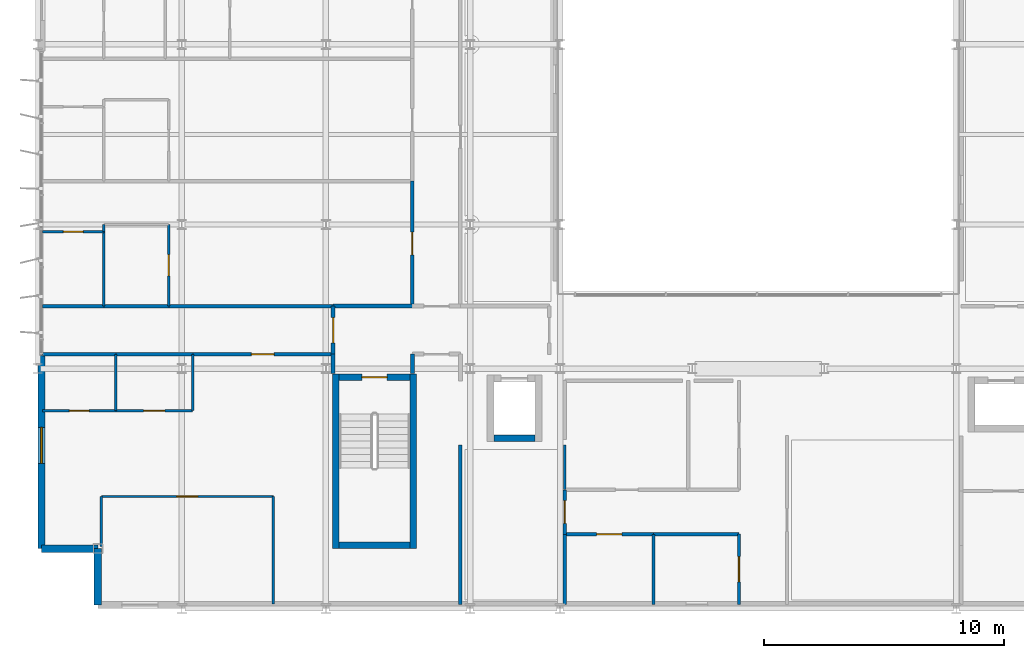
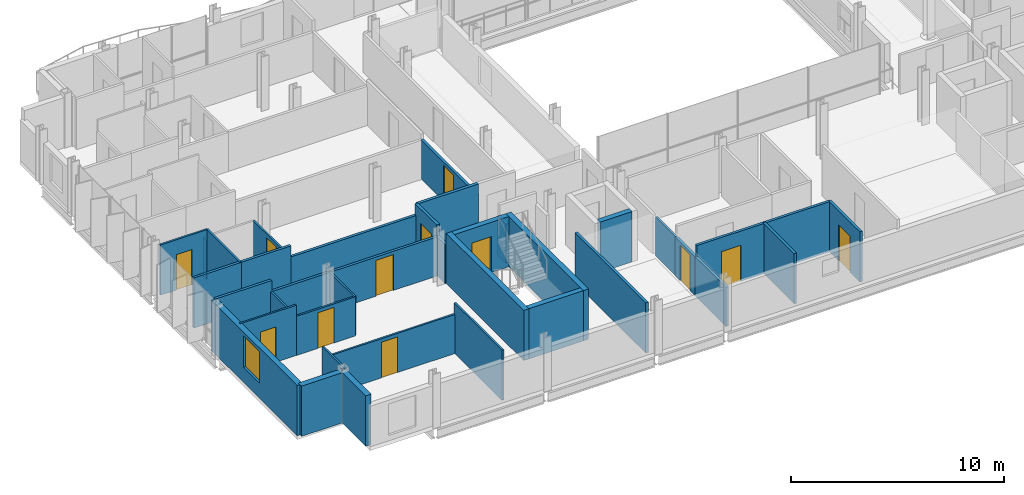
# One storey, part 29 of 40: 38 walls, 12 doors, 1 window, 13 openings.
"""IFC4 building model written with IfcOpenShell, lengths in metres."""

from ifc_helpers import new_model, si_unit, direction, frame, frame_2d, origin, place, context, subcontext, project, spatial, rectangle, extrude, material, layer, layer_set, type_object, element, fill, save


model = new_model("IFC4")

# Units and contexts
model_context = context("Model", 3, precision=1e-05, world=origin(), true_north=direction((0.0, 1.0)))
body_context = subcontext(model_context, "Body", "Model", "MODEL_VIEW")
ifc_project = project(units=[si_unit("LENGTHUNIT", "METRE"), si_unit("AREAUNIT", "SQUARE_METRE"), si_unit("VOLUMEUNIT", "CUBIC_METRE"), si_unit("PLANEANGLEUNIT", "RADIAN"), si_unit("MASSUNIT", "GRAM", prefix="KILO")], contexts=[model_context])

# Site, building, storey
site_placement = place(None, origin())
site = spatial("IfcSite", under=ifc_project, at=site_placement, CompositionType="ELEMENT")
building_placement = place(site_placement, origin())
building = spatial("IfcBuilding", under=site, at=building_placement, Name="Brevholm Reach", CompositionType="ELEMENT")
storey_placement = place(building_placement, frame((0.0, 0.0, 148.0)))
storey = spatial("IfcBuildingStorey", under=building, at=storey_placement, Name="L44", CompositionType="ELEMENT", Elevation=148.0)

# Walls
ifc_material_1 = material(Name="Concrete C50/60", Category="concrete")
ifc_layer_1 = layer(ifc_material_1, 0.280029296875)
ifc_layer_set_1 = layer_set([ifc_layer_1], Name="Concrete C50/60")
wall_type_1 = type_object("IfcWallType", Name="WAL-COR-280", PredefinedType="SHEAR", material=ifc_layer_set_1)
for number, where, z_axis, x_axis, name in (
    (1, (12.409912109375, 2.5, 0.0), (0.0, 0.0, 1.0), (0.0, 1.0, 0.0), "L44 Escape Stair ST-1 Core Wall W"),
    (2, (15.639892578125, 2.5, 0.0), (0.0, 0.0, 1.0), (0.0, 1.0, 0.0), "L44 Escape Stair ST-1 Core Wall E"),
):
    element("IfcWall", number, at=place(storey_placement, frame(where, z_axis=z_axis, x_axis=x_axis)), inside=storey, type_object=wall_type_1, Name=name, PredefinedType="SHEAR", context=body_context, shape_type="SweptSolid", body=[
        extrude(rectangle(XDim=7.280029296875, YDim=0.280029296875, at=frame_2d((3.64013671875, 0.0))), origin(), (0.0, 0.0, 1.0), 2.8798828125),
    ])
wall_1_placement = place(storey_placement, frame((12.550048828125, 2.639892578125, 0.0), z_axis=(0.0, 0.0, 1.0), x_axis=(1.0, 0.0, 0.0)))
element("IfcWall", 3, at=wall_1_placement, inside=storey, type_object=wall_type_1, Name="L44 Escape Stair ST-1 Core Wall S", PredefinedType="SHEAR", context=body_context, shape_type="SweptSolid", body=[
    extrude(rectangle(XDim=2.949951171875, YDim=0.280029296875, at=frame_2d((1.47509765625, 0.0))), origin(), (0.0, 0.0, 1.0), 2.8798828125),
])

# Wall, opening, door
wall_2_placement = place(storey_placement, frame((15.5, 9.639892578125, 0.0), z_axis=(0.0, 0.0, 1.0), x_axis=(-1.0, 0.0, 0.0)))
wall_2 = element("IfcWall", 4, at=wall_2_placement, inside=storey, type_object=wall_type_1, Name="L44 Escape Stair ST-1 Core Wall N", PredefinedType="SHEAR", context=body_context, shape_type="SweptSolid", body=[
    extrude(rectangle(XDim=2.949951171875, YDim=0.280029296875, at=frame_2d((1.47509765625, 0.0))), origin(), (0.0, 0.0, 1.0), 2.8798828125),
])
opening_1_placement = place(wall_2_placement, frame((0.949951171875, 0.0, 0.0)))
opening_1 = element("IfcOpeningElement", 5, at=opening_1_placement, cuts=wall_2, Name="Opening SD-ST-1", PredefinedType="OPENING", context=body_context, shape_type="SweptSolid", body=[
    extrude(rectangle(XDim=1.050048828125, YDim=2.06005859375, at=frame_2d((0.52490234375, 1.030029296875))), frame((0.0, 0.14990234375, 0.0), z_axis=(0.0, -1.0, 0.0), x_axis=(1.0, 0.0, 0.0)), (0.0, 0.0, 1.0), 0.300048828125),
])
ifc_material_2 = material(Name="Hardwood-Lipped Steel-Core Fire and Smoke Door", Category="steel")
door_type_1 = type_object("IfcDoorType", Name="DOR-INT-FD60S", OperationType="NOTDEFINED", PredefinedType="DOOR", material=ifc_material_2)
door_1_placement = place(opening_1_placement, origin())
door_1 = element("IfcDoor", 6, at=door_1_placement, inside=storey, type_object=door_type_1, Name="L44 Protected Stair ST-1 Lobby Door", OperationType="SINGLE_SWING_RIGHT", OverallHeight=2.06005859375, OverallWidth=1.050048828125, PredefinedType="DOOR", context=body_context, shape_type="SweptSolid", body=[
    extrude(rectangle(XDim=1.050048828125, YDim=2.06005859375, at=frame_2d((0.52490234375, 1.030029296875))), frame((0.0, 0.02490234375, 0.0), z_axis=(0.0, -1.0, 0.0), x_axis=(1.0, 0.0, 0.0)), (0.0, 0.0, 1.0), 0.050048828125),
])
fill(opening_1, door_1)

# Walls
wall_3_placement = place(storey_placement, frame((18.989990234375, 7.10009765625, 0.0), z_axis=(0.0, 0.0, 1.0), x_axis=(1.0, 0.0, 0.0)))
element("IfcWall", 7, at=wall_3_placement, inside=storey, type_object=wall_type_1, Name="L44 Lift FFL-1 Shaft Wall S", PredefinedType="SHEAR", context=body_context, shape_type="SweptSolid", body=[
    extrude(rectangle(XDim=1.719970703125, YDim=0.280029296875, at=frame_2d((0.85986328125, 0.0))), origin(), (0.0, 0.0, 1.0), 2.8798828125),
])
ifc_material_3 = material(Name="Concrete C40/50", Category="concrete")
ifc_layer_2 = layer(ifc_material_3, 0.300048828125)
ifc_layer_set_2 = layer_set([ifc_layer_2], Name="Concrete C40/50")
wall_type_2 = type_object("IfcWallType", Name="WAL-EXT-300", PredefinedType="STANDARD", material=ifc_layer_set_2)
for number, where, z_axis, x_axis, name in (
    (8, (2.5, 2.5, 0.0), (0.0, 0.0, 1.0), (0.0, -1.0, 0.0), "L44 Facade Wall WAL-L44-CSW1"),
    (9, (0.14990234375, 2.5, 0.0), (0.0, 0.0, 1.0), (1.0, 0.0, 0.0), "L44 Facade Wall WAL-L44-CSW2"),
):
    element("IfcWall", number, at=place(storey_placement, frame(where, z_axis=z_axis, x_axis=x_axis)), inside=storey, type_object=wall_type_2, Name=name, PredefinedType="STANDARD", context=body_context, shape_type="SweptSolid", body=[
        extrude(rectangle(XDim=2.35009765625, YDim=0.300048828125, at=frame_2d((1.175048828125, 0.0))), origin(), (0.0, 0.0, 1.0), 2.8798828125),
    ])

# Wall, opening, window
wall_4_placement = place(storey_placement, frame((0.14990234375, 10.550048828125, 0.0), z_axis=(0.0, 0.0, 1.0), x_axis=(0.0, -1.0, 0.0)))
wall_4 = element("IfcWall", 10, at=wall_4_placement, inside=storey, type_object=wall_type_2, Name="L44 Facade Wall WAL-L44-W-S", PredefinedType="STANDARD", context=body_context, shape_type="SweptSolid", body=[
    extrude(rectangle(XDim=8.050048828125, YDim=0.300048828125, at=frame_2d((4.02490234375, 0.0))), origin(), (0.0, 0.0, 1.0), 2.8798828125),
])
opening_2_placement = place(wall_4_placement, frame((3.0, 0.0, 0.860107421875)))
opening_2 = element("IfcOpeningElement", 11, at=opening_2_placement, cuts=wall_4, Name="Opening WN-05", PredefinedType="OPENING", context=body_context, shape_type="SweptSolid", body=[
    extrude(rectangle(XDim=1.5, YDim=1.800048828125, at=frame_2d((0.75, 0.89990234375))), frame((0.0, 0.159912109375, 0.0), z_axis=(0.0, -1.0, 0.0), x_axis=(1.0, 0.0, 0.0)), (0.0, 0.0, 1.0), 0.320068359375),
])
ifc_material_4 = material(Name="Dark Anodised Aluminium and Solar-Control IGU Glass", Category="aluminium")
window_type = type_object("IfcWindowType", Name="WIN-RES-1500", PartitioningType="SINGLE_PANEL", PredefinedType="WINDOW", material=ifc_material_4)
window_placement = place(opening_2_placement, origin())
window = element("IfcWindow", 12, at=window_placement, inside=storey, type_object=window_type, Name="L44 Window WIN-L44-WS-1", OverallHeight=1.800048828125, OverallWidth=1.5, PartitioningType="SINGLE_PANEL", PredefinedType="WINDOW", context=body_context, shape_type="SweptSolid", body=[
    extrude(rectangle(XDim=1.5, YDim=1.800048828125, at=frame_2d((0.75, 0.89990234375))), frame((0.0, 0.030029296875, 0.0), z_axis=(0.0, -1.0, 0.0), x_axis=(1.0, 0.0, 0.0)), (0.0, 0.0, 1.0), 0.06005859375),
])
fill(opening_2, window)

# Walls
ifc_material_5 = material(Name="Moisture-Resistant Acoustic Gypsum Stud Partition 100 mm", Category="gypsum")
ifc_layer_3 = layer(ifc_material_5, 0.10009765625)
ifc_layer_set_3 = layer_set([ifc_layer_3], Name="Moisture-Resistant Acoustic Gypsum Stud Partition 100 mm")
wall_type_3 = type_object("IfcWallType", Name="WAL-PRT-100", PredefinedType="PARTITIONING", material=ifc_layer_set_3)
wall_5_placement = place(storey_placement, frame((21.949951171875, 4.9541015625, 0.0), z_axis=(0.0, 0.0, 1.0), x_axis=(0.0, 1.0, 0.0)))
element("IfcWall", 13, at=wall_5_placement, inside=storey, type_object=wall_type_3, Name="L44 Internal Partition 012", PredefinedType="PARTITIONING", context=body_context, shape_type="SweptSolid", body=[
    extrude(rectangle(XDim=1.857177734375, YDim=0.10009765625, at=frame_2d((0.9287109375, 0.0))), origin(), (0.0, 0.0, 1.0), 2.242919921875),
])
wall_6_placement = place(storey_placement, frame((3.25, 8.25, 0.0), z_axis=(0.0, 0.0, 1.0), x_axis=(0.0, 1.0, 0.0)))
element("IfcWall", 14, at=wall_6_placement, inside=storey, type_object=wall_type_3, Name="L44 Internal Partition 065", PredefinedType="PARTITIONING", context=body_context, shape_type="SweptSolid", body=[
    extrude(rectangle(XDim=2.345947265625, YDim=0.10009765625, at=frame_2d((1.1728515625, 0.0))), origin(), (0.0, 0.0, 1.0), 2.242919921875),
])

# Wall, opening, door
wall_7_placement = place(storey_placement, frame((0.199951171875, 8.25, 0.0), z_axis=(0.0, 0.0, 1.0), x_axis=(1.0, 0.0, 0.0)))
wall_7 = element("IfcWall", 15, at=wall_7_placement, inside=storey, type_object=wall_type_3, Name="L44 Internal Partition 066", PredefinedType="PARTITIONING", context=body_context, shape_type="SweptSolid", body=[
    extrude(rectangle(XDim=3.050048828125, YDim=0.10009765625, at=frame_2d((1.52490234375, 0.0))), origin(), (0.0, 0.0, 1.0), 2.8798828125),
])
opening_3_placement = place(wall_7_placement, frame((1.114990234375, 0.0, 0.0)))
opening_3 = element("IfcOpeningElement", 16, at=opening_3_placement, cuts=wall_7, Name="Opening ID-03", PredefinedType="OPENING", context=body_context, shape_type="SweptSolid", body=[
    extrude(rectangle(XDim=0.820068359375, YDim=2.02001953125, at=frame_2d((0.41015625, 1.010009765625))), frame((0.0, 0.06005859375, 0.0), z_axis=(0.0, -1.0, 0.0), x_axis=(1.0, 0.0, 0.0)), (0.0, 0.0, 1.0), 0.1201171875),
])
ifc_material_6 = material(Name="Moisture-Resistant Painted Timber Internal Bathroom Door", Category="wood")
door_type_2 = type_object("IfcDoorType", Name="DOR-BATH-820", OperationType="NOTDEFINED", PredefinedType="DOOR", material=ifc_material_6)
door_2_placement = place(opening_3_placement, origin())
door_2 = element("IfcDoor", 17, at=door_2_placement, inside=storey, type_object=door_type_2, Name="L44 Internal Door 031", OperationType="SINGLE_SWING_RIGHT", OverallHeight=2.02001953125, OverallWidth=0.820068359375, PredefinedType="DOOR", context=body_context, shape_type="SweptSolid", body=[
    extrude(rectangle(XDim=0.820068359375, YDim=2.02001953125, at=frame_2d((0.41015625, 1.010009765625))), frame((0.0, 0.02490234375, 0.0), z_axis=(0.0, -1.0, 0.0), x_axis=(1.0, 0.0, 0.0)), (0.0, 0.0, 1.0), 0.050048828125),
])
fill(opening_3, door_2)

wall_8_placement = place(storey_placement, frame((3.25390625, 8.25, 0.0), z_axis=(0.0, 0.0, 1.0), x_axis=(1.0, 0.0, 0.0)))
wall_8 = element("IfcWall", 18, at=wall_8_placement, inside=storey, type_object=wall_type_3, Name="L44 Internal Partition 067", PredefinedType="PARTITIONING", context=body_context, shape_type="SweptSolid", body=[
    extrude(rectangle(XDim=3.196044921875, YDim=0.10009765625, at=frame_2d((1.59814453125, 0.0))), origin(), (0.0, 0.0, 1.0), 2.242919921875),
])
opening_4_placement = place(wall_8_placement, frame((1.157958984375, 0.0, 0.0)))
opening_4 = element("IfcOpeningElement", 19, at=opening_4_placement, cuts=wall_8, Name="Opening ID-01", PredefinedType="OPENING", context=body_context, shape_type="SweptSolid", body=[
    extrude(rectangle(XDim=0.8798828125, YDim=2.0400390625, at=frame_2d((0.43994140625, 1.02001953125))), frame((0.0, 0.06005859375, 0.0), z_axis=(0.0, -1.0, 0.0), x_axis=(1.0, 0.0, 0.0)), (0.0, 0.0, 1.0), 0.1201171875),
])
ifc_material_7 = material(Name="Lacquered Ash Solid-Core Acoustic Internal Door", Category="timber")
door_type_3 = type_object("IfcDoorType", Name="DOR-INT-880", OperationType="NOTDEFINED", PredefinedType="DOOR", material=ifc_material_7)
door_3_placement = place(opening_4_placement, origin())
door_3 = element("IfcDoor", 20, at=door_3_placement, inside=storey, type_object=door_type_3, Name="L44 Internal Door 032", OperationType="SINGLE_SWING_LEFT", OverallHeight=2.0400390625, OverallWidth=0.8798828125, PredefinedType="DOOR", context=body_context, shape_type="SweptSolid", body=[
    extrude(rectangle(XDim=0.8798828125, YDim=2.0400390625, at=frame_2d((0.43994140625, 1.02001953125))), frame((0.0, 0.02490234375, 0.0), z_axis=(0.0, -1.0, 0.0), x_axis=(1.0, 0.0, 0.0)), (0.0, 0.0, 1.0), 0.050048828125),
])
fill(opening_4, door_3)

# Walls
wall_9_placement = place(storey_placement, frame((6.449951171875, 8.25, 0.0), z_axis=(0.0, 0.0, 1.0), x_axis=(0.0, 1.0, 0.0)))
element("IfcWall", 21, at=wall_9_placement, inside=storey, type_object=wall_type_3, Name="L44 Internal Partition 068", PredefinedType="PARTITIONING", context=body_context, shape_type="SweptSolid", body=[
    extrude(rectangle(XDim=2.345947265625, YDim=0.10009765625, at=frame_2d((1.1728515625, 0.0))), origin(), (0.0, 0.0, 1.0), 2.242919921875),
])
wall_10_placement = place(storey_placement, frame((2.64990234375, 2.599365234375, 0.0), z_axis=(0.0, 0.0, 1.0), x_axis=(0.0, 1.0, 0.0)))
element("IfcWall", 22, at=wall_10_placement, inside=storey, type_object=wall_type_3, Name="L44 Internal Partition 069", PredefinedType="PARTITIONING", context=body_context, shape_type="SweptSolid", body=[
    extrude(rectangle(XDim=2.07275390625, YDim=0.10009765625, at=frame_2d((1.036376953125, 0.0))), origin(), (0.0, 0.0, 1.0), 2.8798828125),
])
wall_11_placement = place(storey_placement, frame((9.805908203125, 0.199951171875, 0.0), z_axis=(0.0, 0.0, 1.0), x_axis=(0.0, 1.0, 0.0)))
element("IfcWall", 23, at=wall_11_placement, inside=storey, type_object=wall_type_3, Name="L44 Internal Partition 070", PredefinedType="PARTITIONING", context=body_context, shape_type="SweptSolid", body=[
    extrude(rectangle(XDim=4.47216796875, YDim=0.10009765625, at=frame_2d((2.236083984375, 0.0))), origin(), (0.0, 0.0, 1.0), 2.8798828125),
])

# Wall, opening, door
wall_12_placement = place(storey_placement, frame((2.64990234375, 4.672119140625, 0.0), z_axis=(0.0, 0.0, 1.0), x_axis=(1.0, 0.0, 0.0)))
wall_12 = element("IfcWall", 24, at=wall_12_placement, inside=storey, type_object=wall_type_3, Name="L44 Internal Partition 071", PredefinedType="PARTITIONING", context=body_context, shape_type="SweptSolid", body=[
    extrude(rectangle(XDim=7.156005859375, YDim=0.10009765625, at=frame_2d((3.578125, 0.0))), origin(), (0.0, 0.0, 1.0), 2.242919921875),
])
opening_5_placement = place(wall_12_placement, frame((3.137939453125, 0.0, 0.0)))
opening_5 = element("IfcOpeningElement", 25, at=opening_5_placement, cuts=wall_12, Name="Opening ID-01", PredefinedType="OPENING", context=body_context, shape_type="SweptSolid", body=[
    extrude(rectangle(XDim=0.8798828125, YDim=2.0400390625, at=frame_2d((0.43994140625, 1.02001953125))), frame((0.0, 0.06005859375, 0.0), z_axis=(0.0, -1.0, 0.0), x_axis=(1.0, 0.0, 0.0)), (0.0, 0.0, 1.0), 0.1201171875),
])
door_4_placement = place(opening_5_placement, origin())
door_4 = element("IfcDoor", 26, at=door_4_placement, inside=storey, type_object=door_type_3, Name="L44 Internal Door 033", OperationType="SINGLE_SWING_RIGHT", OverallHeight=2.0400390625, OverallWidth=0.8798828125, PredefinedType="DOOR", context=body_context, shape_type="SweptSolid", body=[
    extrude(rectangle(XDim=0.8798828125, YDim=2.0400390625, at=frame_2d((0.43994140625, 1.02001953125))), frame((0.0, 0.02490234375, 0.0), z_axis=(0.0, -1.0, 0.0), x_axis=(1.0, 0.0, 0.0)), (0.0, 0.0, 1.0), 0.050048828125),
])
fill(opening_5, door_4)

# Wall
wall_13_placement = place(storey_placement, frame((2.75, 12.60400390625, 0.0), z_axis=(0.0, 0.0, 1.0), x_axis=(0.0, 1.0, 0.0)))
element("IfcWall", 27, at=wall_13_placement, inside=storey, type_object=wall_type_3, Name="L44 Internal Partition 072", PredefinedType="PARTITIONING", context=body_context, shape_type="SweptSolid", body=[
    extrude(rectangle(XDim=3.095947265625, YDim=0.10009765625, at=frame_2d((1.5478515625, 0.0))), origin(), (0.0, 0.0, 1.0), 2.8798828125),
])

# Wall, opening, door
wall_14_placement = place(storey_placement, frame((0.199951171875, 15.699951171875, 0.0), z_axis=(0.0, 0.0, 1.0), x_axis=(1.0, 0.0, 0.0)))
wall_14 = element("IfcWall", 28, at=wall_14_placement, inside=storey, type_object=wall_type_3, Name="L44 Internal Partition 073", PredefinedType="PARTITIONING", context=body_context, shape_type="SweptSolid", body=[
    extrude(rectangle(XDim=2.550048828125, YDim=0.10009765625, at=frame_2d((1.27490234375, 0.0))), origin(), (0.0, 0.0, 1.0), 2.8798828125),
])
opening_6_placement = place(wall_14_placement, frame((0.864990234375, 0.0, 0.0)))
opening_6 = element("IfcOpeningElement", 29, at=opening_6_placement, cuts=wall_14, Name="Opening ID-03", PredefinedType="OPENING", context=body_context, shape_type="SweptSolid", body=[
    extrude(rectangle(XDim=0.820068359375, YDim=2.02001953125, at=frame_2d((0.41015625, 1.010009765625))), frame((0.0, 0.06005859375, 0.0), z_axis=(0.0, -1.0, 0.0), x_axis=(1.0, 0.0, 0.0)), (0.0, 0.0, 1.0), 0.1201171875),
])
door_5_placement = place(opening_6_placement, origin())
door_5 = element("IfcDoor", 30, at=door_5_placement, inside=storey, type_object=door_type_2, Name="L44 Internal Door 034", OperationType="SINGLE_SWING_LEFT", OverallHeight=2.02001953125, OverallWidth=0.820068359375, PredefinedType="DOOR", context=body_context, shape_type="SweptSolid", body=[
    extrude(rectangle(XDim=0.820068359375, YDim=2.02001953125, at=frame_2d((0.41015625, 1.010009765625))), frame((0.0, 0.02490234375, 0.0), z_axis=(0.0, -1.0, 0.0), x_axis=(1.0, 0.0, 0.0)), (0.0, 0.0, 1.0), 0.050048828125),
])
fill(opening_6, door_5)

wall_15_placement = place(storey_placement, frame((5.449951171875, 12.60400390625, 0.0), z_axis=(0.0, 0.0, 1.0), x_axis=(0.0, 1.0, 0.0)))
wall_15 = element("IfcWall", 31, at=wall_15_placement, inside=storey, type_object=wall_type_3, Name="L44 Internal Partition 074", PredefinedType="PARTITIONING", context=body_context, shape_type="SweptSolid", body=[
    extrude(rectangle(XDim=3.39599609375, YDim=0.10009765625, at=frame_2d((1.697998046875, 0.0))), origin(), (0.0, 0.0, 1.0), 2.242919921875),
])
opening_7_placement = place(wall_15_placement, frame((1.258056640625, 0.0, 0.0)))
opening_7 = element("IfcOpeningElement", 32, at=opening_7_placement, cuts=wall_15, Name="Opening ID-01", PredefinedType="OPENING", context=body_context, shape_type="SweptSolid", body=[
    extrude(rectangle(XDim=0.8798828125, YDim=2.0400390625, at=frame_2d((0.43994140625, 1.02001953125))), frame((0.0, 0.06005859375, 0.0), z_axis=(0.0, -1.0, 0.0), x_axis=(1.0, 0.0, 0.0)), (0.0, 0.0, 1.0), 0.1201171875),
])
door_6_placement = place(opening_7_placement, origin())
door_6 = element("IfcDoor", 33, at=door_6_placement, inside=storey, type_object=door_type_3, Name="L44 Internal Door 035", OperationType="SINGLE_SWING_RIGHT", OverallHeight=2.0400390625, OverallWidth=0.8798828125, PredefinedType="DOOR", context=body_context, shape_type="SweptSolid", body=[
    extrude(rectangle(XDim=0.8798828125, YDim=2.0400390625, at=frame_2d((0.43994140625, 1.02001953125))), frame((0.0, 0.02490234375, 0.0), z_axis=(0.0, -1.0, 0.0), x_axis=(1.0, 0.0, 0.0)), (0.0, 0.0, 1.0), 0.050048828125),
])
fill(opening_7, door_6)

# Wall
wall_16_placement = place(storey_placement, frame((2.75, 15.7041015625, 0.0), z_axis=(0.0, 0.0, 1.0), x_axis=(0.0, 1.0, 0.0)))
element("IfcWall", 34, at=wall_16_placement, inside=storey, type_object=wall_type_3, Name="L44 Internal Partition 076", PredefinedType="PARTITIONING", context=body_context, shape_type="SweptSolid", body=[
    extrude(rectangle(XDim=0.2958984375, YDim=0.10009765625, at=frame_2d((0.14794921875, 0.0))), origin(), (0.0, 0.0, 1.0), 2.242919921875),
])

# Wall, opening, door
ifc_material_8 = material(Name="Twin-Stud Acoustic Fire-Rated Gypsum Partition 140 mm", Category="gypsum")
ifc_layer_4 = layer(ifc_material_8, 0.139892578125)
ifc_layer_set_4 = layer_set([ifc_layer_4], Name="Twin-Stud Acoustic Fire-Rated Gypsum Partition 140 mm")
wall_type_4 = type_object("IfcWallType", Name="WAL-PRT-140", PredefinedType="PARTITIONING", material=ifc_layer_set_4)
wall_17_placement = place(storey_placement, frame((29.199951171875, 0.179931640625, 0.0), z_axis=(0.0, 0.0, 1.0), x_axis=(0.0, 1.0, 0.0)))
wall_17 = element("IfcWall", 35, at=wall_17_placement, inside=storey, type_object=wall_type_4, Name="L44 Internal Partition 001", PredefinedType="PARTITIONING", context=body_context, shape_type="SweptSolid", body=[
    extrude(rectangle(XDim=2.927490234375, YDim=0.139892578125, at=frame_2d((1.4638671875, 0.0))), origin(), (0.0, 0.0, 1.0), 2.8798828125),
])
opening_8_placement = place(wall_17_placement, frame((0.938720703125, 0.0, 0.0)))
opening_8 = element("IfcOpeningElement", 36, at=opening_8_placement, cuts=wall_17, Name="Opening FD-01", PredefinedType="OPENING", context=body_context, shape_type="SweptSolid", body=[
    extrude(rectangle(XDim=1.050048828125, YDim=2.06005859375, at=frame_2d((0.52490234375, 1.030029296875))), frame((0.0, 0.079833984375, 0.0), z_axis=(0.0, -1.0, 0.0), x_axis=(1.0, 0.0, 0.0)), (0.0, 0.0, 1.0), 0.159912109375),
])
door_7_placement = place(opening_8_placement, origin())
door_7 = element("IfcDoor", 37, at=door_7_placement, inside=storey, type_object=door_type_1, Name="L44 Internal Door 001", OperationType="SINGLE_SWING_RIGHT", OverallHeight=2.06005859375, OverallWidth=1.050048828125, PredefinedType="DOOR", context=body_context, shape_type="SweptSolid", body=[
    extrude(rectangle(XDim=1.050048828125, YDim=2.06005859375, at=frame_2d((0.52490234375, 1.030029296875))), frame((0.0, 0.02490234375, 0.0), z_axis=(0.0, -1.0, 0.0), x_axis=(1.0, 0.0, 0.0)), (0.0, 0.0, 1.0), 0.050048828125),
])
fill(opening_8, door_7)

wall_18_placement = place(storey_placement, frame((21.949951171875, 3.10009765625, 0.0), z_axis=(0.0, 0.0, 1.0), x_axis=(1.0, 0.0, 0.0)))
wall_18 = element("IfcWall", 38, at=wall_18_placement, inside=storey, type_object=wall_type_4, Name="L44 Internal Partition 004", PredefinedType="PARTITIONING", context=body_context, shape_type="SweptSolid", body=[
    extrude(rectangle(XDim=3.701416015625, YDim=0.139892578125, at=frame_2d((1.8505859375, 0.0))), origin(), (0.0, 0.0, 1.0), 2.8798828125),
])
opening_9_placement = place(wall_18_placement, frame((1.32568359375, 0.0, 0.0)))
opening_9 = element("IfcOpeningElement", 39, at=opening_9_placement, cuts=wall_18, Name="Opening FD-01", PredefinedType="OPENING", context=body_context, shape_type="SweptSolid", body=[
    extrude(rectangle(XDim=1.050048828125, YDim=2.06005859375, at=frame_2d((0.52490234375, 1.030029296875))), frame((0.0, 0.079833984375, 0.0), z_axis=(0.0, -1.0, 0.0), x_axis=(1.0, 0.0, 0.0)), (0.0, 0.0, 1.0), 0.159912109375),
])
door_8_placement = place(opening_9_placement, origin())
door_8 = element("IfcDoor", 40, at=door_8_placement, inside=storey, type_object=door_type_1, Name="L44 Internal Door 004", OperationType="SINGLE_SWING_LEFT", OverallHeight=2.06005859375, OverallWidth=1.050048828125, PredefinedType="DOOR", context=body_context, shape_type="SweptSolid", body=[
    extrude(rectangle(XDim=1.050048828125, YDim=2.06005859375, at=frame_2d((0.52490234375, 1.030029296875))), frame((0.0, 0.02490234375, 0.0), z_axis=(0.0, -1.0, 0.0), x_axis=(1.0, 0.0, 0.0)), (0.0, 0.0, 1.0), 0.050048828125),
])
fill(opening_9, door_8)

# Wall
wall_19_placement = place(storey_placement, frame((25.6328125, 3.10009765625, 0.0), z_axis=(0.0, 0.0, 1.0), x_axis=(1.0, 0.0, 0.0)))
element("IfcWall", 41, at=wall_19_placement, inside=storey, type_object=wall_type_4, Name="L44 Internal Partition 005", PredefinedType="PARTITIONING", context=body_context, shape_type="SweptSolid", body=[
    extrude(rectangle(XDim=3.563232421875, YDim=0.139892578125, at=frame_2d((1.78173828125, 0.0))), origin(), (0.0, 0.0, 1.0), 2.8798828125),
])

# Wall, opening, door
wall_20_placement = place(storey_placement, frame((21.949951171875, 3.10009765625, 0.0), z_axis=(0.0, 0.0, 1.0), x_axis=(0.0, 1.0, 0.0)))
wall_20 = element("IfcWall", 42, at=wall_20_placement, inside=storey, type_object=wall_type_4, Name="L44 Internal Partition 008", PredefinedType="PARTITIONING", context=body_context, shape_type="SweptSolid", body=[
    extrude(rectangle(XDim=1.849853515625, YDim=0.139892578125, at=frame_2d((0.9248046875, 0.0))), origin(), (0.0, 0.0, 1.0), 2.242919921875),
])
opening_10_placement = place(wall_20_placement, frame((0.449951171875, 0.0, 0.0)))
opening_10 = element("IfcOpeningElement", 43, at=opening_10_placement, cuts=wall_20, Name="Opening ID-30", PredefinedType="OPENING", context=body_context, shape_type="SweptSolid", body=[
    extrude(rectangle(XDim=0.949951171875, YDim=2.050048828125, at=frame_2d((0.47509765625, 1.02490234375))), frame((0.0, 0.079833984375, 0.0), z_axis=(0.0, -1.0, 0.0), x_axis=(1.0, 0.0, 0.0)), (0.0, 0.0, 1.0), 0.159912109375),
])
ifc_material_9 = material(Name="European Oak Veneered Solid-Core Fire Entrance Door", Category="timber")
door_type_4 = type_object("IfcDoorType", Name="DOR-FLT-FD30S", OperationType="NOTDEFINED", PredefinedType="DOOR", material=ifc_material_9)
door_9_placement = place(opening_10_placement, origin())
door_9 = element("IfcDoor", 44, at=door_9_placement, inside=storey, type_object=door_type_4, Name="L44 Internal Door 006", OperationType="SINGLE_SWING_LEFT", OverallHeight=2.050048828125, OverallWidth=0.949951171875, PredefinedType="DOOR", context=body_context, shape_type="SweptSolid", body=[
    extrude(rectangle(XDim=0.949951171875, YDim=2.050048828125, at=frame_2d((0.47509765625, 1.02490234375))), frame((0.0, 0.02490234375, 0.0), z_axis=(0.0, -1.0, 0.0), x_axis=(1.0, 0.0, 0.0)), (0.0, 0.0, 1.0), 0.050048828125),
])
fill(opening_10, door_9)

# Walls
wall_21_placement = place(storey_placement, frame((25.639892578125, 0.179931640625, 0.0), z_axis=(0.0, 0.0, 1.0), x_axis=(0.0, 1.0, 0.0)))
element("IfcWall", 45, at=wall_21_placement, inside=storey, type_object=wall_type_4, Name="L44 Internal Partition 009", PredefinedType="PARTITIONING", context=body_context, shape_type="SweptSolid", body=[
    extrude(rectangle(XDim=2.916015625, YDim=0.139892578125, at=frame_2d((1.4580078125, 0.0))), origin(), (0.0, 0.0, 1.0), 2.8798828125),
])
wall_22_placement = place(storey_placement, frame((21.949951171875, 0.179931640625, 0.0), z_axis=(0.0, 0.0, 1.0), x_axis=(0.0, 1.0, 0.0)))
element("IfcWall", 46, at=wall_22_placement, inside=storey, type_object=wall_type_4, Name="L44 Internal Partition 010", PredefinedType="PARTITIONING", context=body_context, shape_type="SweptSolid", body=[
    extrude(rectangle(XDim=2.916015625, YDim=0.139892578125, at=frame_2d((1.4580078125, 0.0))), origin(), (0.0, 0.0, 1.0), 2.242919921875),
])
wall_23_placement = place(storey_placement, frame((17.60009765625, 0.179931640625, 0.0), z_axis=(0.0, 0.0, 1.0), x_axis=(0.0, 1.0, 0.0)))
element("IfcWall", 47, at=wall_23_placement, inside=storey, type_object=wall_type_4, Name="L44 Internal Partition 020", PredefinedType="PARTITIONING", context=body_context, shape_type="SweptSolid", body=[
    extrude(rectangle(XDim=6.63134765625, YDim=0.139892578125, at=frame_2d((3.315673828125, 0.0))), origin(), (0.0, 0.0, 1.0), 2.8798828125),
])

# Wall, opening, door
wall_24_placement = place(storey_placement, frame((15.60009765625, 12.60400390625, 0.0), z_axis=(0.0, 0.0, 1.0), x_axis=(0.0, 1.0, 0.0)))
wall_24 = element("IfcWall", 48, at=wall_24_placement, inside=storey, type_object=wall_type_4, Name="L44 Internal Partition 041", PredefinedType="PARTITIONING", context=body_context, shape_type="SweptSolid", body=[
    extrude(rectangle(XDim=5.207275390625, YDim=0.139892578125, at=frame_2d((2.603515625, 0.0))), origin(), (0.0, 0.0, 1.0), 2.242919921875),
])
opening_11_placement = place(wall_24_placement, frame((2.128662109375, 0.0, 0.0)))
opening_11 = element("IfcOpeningElement", 49, at=opening_11_placement, cuts=wall_24, Name="Opening ID-30", PredefinedType="OPENING", context=body_context, shape_type="SweptSolid", body=[
    extrude(rectangle(XDim=0.949951171875, YDim=2.050048828125, at=frame_2d((0.47509765625, 1.02490234375))), frame((0.0, 0.079833984375, 0.0), z_axis=(0.0, -1.0, 0.0), x_axis=(1.0, 0.0, 0.0)), (0.0, 0.0, 1.0), 0.159912109375),
])
door_10_placement = place(opening_11_placement, origin())
door_10 = element("IfcDoor", 50, at=door_10_placement, inside=storey, type_object=door_type_4, Name="L44 Internal Door 021", OperationType="SINGLE_SWING_RIGHT", OverallHeight=2.050048828125, OverallWidth=0.949951171875, PredefinedType="DOOR", context=body_context, shape_type="SweptSolid", body=[
    extrude(rectangle(XDim=0.949951171875, YDim=2.050048828125, at=frame_2d((0.47509765625, 1.02490234375))), frame((0.0, 0.02490234375, 0.0), z_axis=(0.0, -1.0, 0.0), x_axis=(1.0, 0.0, 0.0)), (0.0, 0.0, 1.0), 0.050048828125),
])
fill(opening_11, door_10)

# Walls
wall_25_placement = place(storey_placement, frame((0.199951171875, 10.60009765625, 0.0), z_axis=(0.0, 0.0, 1.0), x_axis=(1.0, 0.0, 0.0)))
element("IfcWall", 51, at=wall_25_placement, inside=storey, type_object=wall_type_4, Name="L44 Internal Partition 059", PredefinedType="PARTITIONING", context=body_context, shape_type="SweptSolid", body=[
    extrude(rectangle(XDim=3.061279296875, YDim=0.139892578125, at=frame_2d((1.53076171875, 0.0))), origin(), (0.0, 0.0, 1.0), 2.8798828125),
])
wall_26_placement = place(storey_placement, frame((3.24267578125, 10.60009765625, 0.0), z_axis=(0.0, 0.0, 1.0), x_axis=(1.0, 0.0, 0.0)))
element("IfcWall", 52, at=wall_26_placement, inside=storey, type_object=wall_type_4, Name="L44 Internal Partition 060", PredefinedType="PARTITIONING", context=body_context, shape_type="SweptSolid", body=[
    extrude(rectangle(XDim=3.218505859375, YDim=0.139892578125, at=frame_2d((1.609375, 0.0))), origin(), (0.0, 0.0, 1.0), 2.242919921875),
])

# Wall, opening, door
wall_27_placement = place(storey_placement, frame((6.442626953125, 10.60009765625, 0.0), z_axis=(0.0, 0.0, 1.0), x_axis=(1.0, 0.0, 0.0)))
wall_27 = element("IfcWall", 53, at=wall_27_placement, inside=storey, type_object=wall_type_4, Name="L44 Internal Partition 061", PredefinedType="PARTITIONING", context=body_context, shape_type="SweptSolid", body=[
    extrude(rectangle(XDim=5.853271484375, YDim=0.139892578125, at=frame_2d((2.9267578125, 0.0))), origin(), (0.0, 0.0, 1.0), 2.242919921875),
])
opening_12_placement = place(wall_27_placement, frame((2.45166015625, 0.0, 0.0)))
opening_12 = element("IfcOpeningElement", 54, at=opening_12_placement, cuts=wall_27, Name="Opening ID-30", PredefinedType="OPENING", context=body_context, shape_type="SweptSolid", body=[
    extrude(rectangle(XDim=0.949951171875, YDim=2.050048828125, at=frame_2d((0.47509765625, 1.02490234375))), frame((0.0, 0.079833984375, 0.0), z_axis=(0.0, -1.0, 0.0), x_axis=(1.0, 0.0, 0.0)), (0.0, 0.0, 1.0), 0.159912109375),
])
door_11_placement = place(opening_12_placement, origin())
door_11 = element("IfcDoor", 55, at=door_11_placement, inside=storey, type_object=door_type_4, Name="L44 Internal Door 030", OperationType="SINGLE_SWING_LEFT", OverallHeight=2.050048828125, OverallWidth=0.949951171875, PredefinedType="DOOR", context=body_context, shape_type="SweptSolid", body=[
    extrude(rectangle(XDim=0.949951171875, YDim=2.050048828125, at=frame_2d((0.47509765625, 1.02490234375))), frame((0.0, 0.02490234375, 0.0), z_axis=(0.0, -1.0, 0.0), x_axis=(1.0, 0.0, 0.0)), (0.0, 0.0, 1.0), 0.050048828125),
])
fill(opening_12, door_11)

# Walls
wall_28_placement = place(storey_placement, frame((0.199951171875, 12.60009765625, 0.0), z_axis=(0.0, 0.0, 1.0), x_axis=(1.0, 0.0, 0.0)))
element("IfcWall", 56, at=wall_28_placement, inside=storey, type_object=wall_type_4, Name="L44 Internal Partition 062", PredefinedType="PARTITIONING", context=body_context, shape_type="SweptSolid", body=[
    extrude(rectangle(XDim=2.561279296875, YDim=0.139892578125, at=frame_2d((1.28076171875, 0.0))), origin(), (0.0, 0.0, 1.0), 2.8798828125),
])
wall_29_placement = place(storey_placement, frame((2.74267578125, 12.60009765625, 0.0), z_axis=(0.0, 0.0, 1.0), x_axis=(1.0, 0.0, 0.0)))
element("IfcWall", 57, at=wall_29_placement, inside=storey, type_object=wall_type_4, Name="L44 Internal Partition 063", PredefinedType="PARTITIONING", context=body_context, shape_type="SweptSolid", body=[
    extrude(rectangle(XDim=2.718505859375, YDim=0.139892578125, at=frame_2d((1.359375, 0.0))), origin(), (0.0, 0.0, 1.0), 2.8798828125),
])
wall_30_placement = place(storey_placement, frame((5.442626953125, 12.60009765625, 0.0), z_axis=(0.0, 0.0, 1.0), x_axis=(1.0, 0.0, 0.0)))
element("IfcWall", 58, at=wall_30_placement, inside=storey, type_object=wall_type_4, Name="L44 Internal Partition 064", PredefinedType="PARTITIONING", context=body_context, shape_type="SweptSolid", body=[
    extrude(rectangle(XDim=6.853271484375, YDim=0.139892578125, at=frame_2d((3.4267578125, 0.0))), origin(), (0.0, 0.0, 1.0), 2.242919921875),
])
ifc_material_10 = material(Name="Twin-Frame Fire-Rated Gypsum Board and Mineral Wool 160 mm", Category="gypsum")
ifc_layer_5 = layer(ifc_material_10, 0.159912109375)
ifc_layer_set_5 = layer_set([ifc_layer_5], Name="Twin-Frame Fire-Rated Gypsum Board and Mineral Wool 160 mm")
wall_type_5 = type_object("IfcWallType", Name="WAL-PRT-160", PredefinedType="PARTITIONING", material=ifc_layer_set_5)
wall_31_placement = place(storey_placement, frame((15.60009765625, 9.7900390625, 0.0), z_axis=(0.0, 0.0, 1.0), x_axis=(0.0, 1.0, 0.0)))
element("IfcWall", 59, at=wall_31_placement, inside=storey, type_object=wall_type_5, Name="L44 Internal Partition 021", PredefinedType="PARTITIONING", context=body_context, shape_type="SweptSolid", body=[
    extrude(rectangle(XDim=0.81005859375, YDim=0.159912109375, at=frame_2d((0.405029296875, 0.0))), origin(), (0.0, 0.0, 1.0), 2.242919921875),
])

# Wall, opening, door
wall_32_placement = place(storey_placement, frame((12.300048828125, 10.588623046875, 0.0), z_axis=(0.0, 0.0, 1.0), x_axis=(0.0, 1.0, 0.0)))
wall_32 = element("IfcWall", 60, at=wall_32_placement, inside=storey, type_object=wall_type_5, Name="L44 Internal Partition 030", PredefinedType="PARTITIONING", context=body_context, shape_type="SweptSolid", body=[
    extrude(rectangle(XDim=2.011474609375, YDim=0.159912109375, at=frame_2d((1.005859375, 0.0))), origin(), (0.0, 0.0, 1.0), 2.8798828125),
])
opening_13_placement = place(wall_32_placement, frame((0.480712890625, 0.0, 0.0)))
opening_13 = element("IfcOpeningElement", 61, at=opening_13_placement, cuts=wall_32, Name="Opening FD-01", PredefinedType="OPENING", context=body_context, shape_type="SweptSolid", body=[
    extrude(rectangle(XDim=1.050048828125, YDim=2.06005859375, at=frame_2d((0.52490234375, 1.030029296875))), frame((0.0, 0.08984375, 0.0), z_axis=(0.0, -1.0, 0.0), x_axis=(1.0, 0.0, 0.0)), (0.0, 0.0, 1.0), 0.179931640625),
])
door_12_placement = place(opening_13_placement, origin())
door_12 = element("IfcDoor", 62, at=door_12_placement, inside=storey, type_object=door_type_1, Name="L44 Internal Door 015", OperationType="SINGLE_SWING_RIGHT", OverallHeight=2.06005859375, OverallWidth=1.050048828125, PredefinedType="DOOR", context=body_context, shape_type="SweptSolid", body=[
    extrude(rectangle(XDim=1.050048828125, YDim=2.06005859375, at=frame_2d((0.52490234375, 1.030029296875))), frame((0.0, 0.02490234375, 0.0), z_axis=(0.0, -1.0, 0.0), x_axis=(1.0, 0.0, 0.0)), (0.0, 0.0, 1.0), 0.050048828125),
])
fill(opening_13, door_12)

# Walls
wall_33_placement = place(storey_placement, frame((12.300048828125, 9.7900390625, 0.0), z_axis=(0.0, 0.0, 1.0), x_axis=(0.0, 1.0, 0.0)))
element("IfcWall", 63, at=wall_33_placement, inside=storey, type_object=wall_type_5, Name="L44 Internal Partition 031", PredefinedType="PARTITIONING", context=body_context, shape_type="SweptSolid", body=[
    extrude(rectangle(XDim=0.8173828125, YDim=0.159912109375, at=frame_2d((0.40869140625, 0.0))), origin(), (0.0, 0.0, 1.0), 2.242919921875),
])
wall_34_placement = place(storey_placement, frame((12.300048828125, 12.60009765625, 0.0), z_axis=(0.0, 0.0, 1.0), x_axis=(1.0, 0.0, 0.0)))
element("IfcWall", 64, at=wall_34_placement, inside=storey, type_object=wall_type_5, Name="L44 Internal Partition 032", PredefinedType="PARTITIONING", context=body_context, shape_type="SweptSolid", body=[
    extrude(rectangle(XDim=3.307373046875, YDim=0.159912109375, at=frame_2d((1.65380859375, 0.0))), origin(), (0.0, 0.0, 1.0), 2.8798828125),
])

save(model, "model.ifc")
